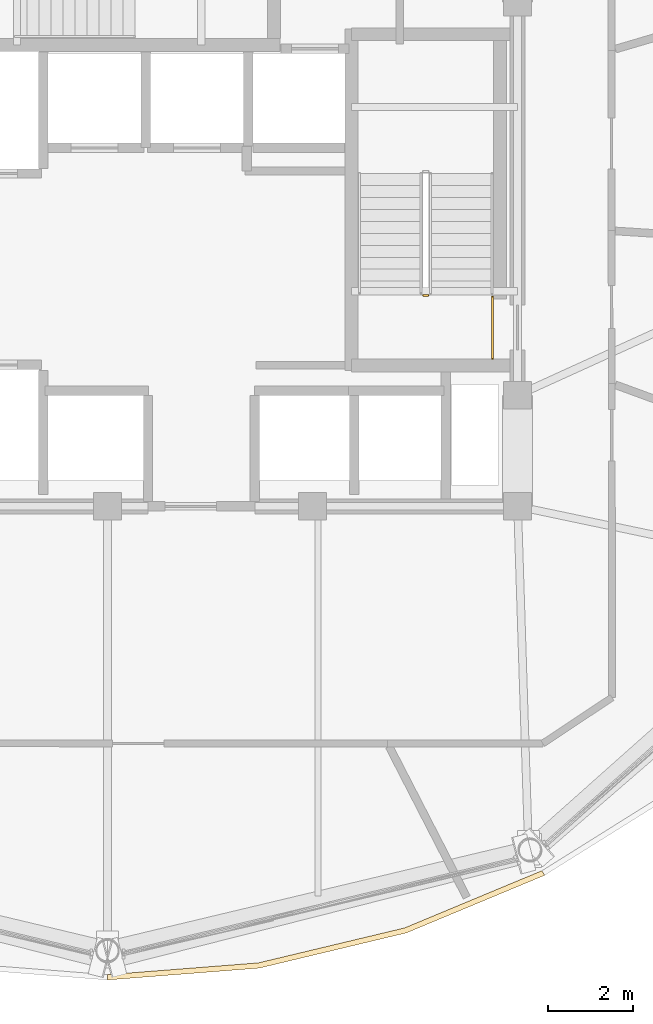
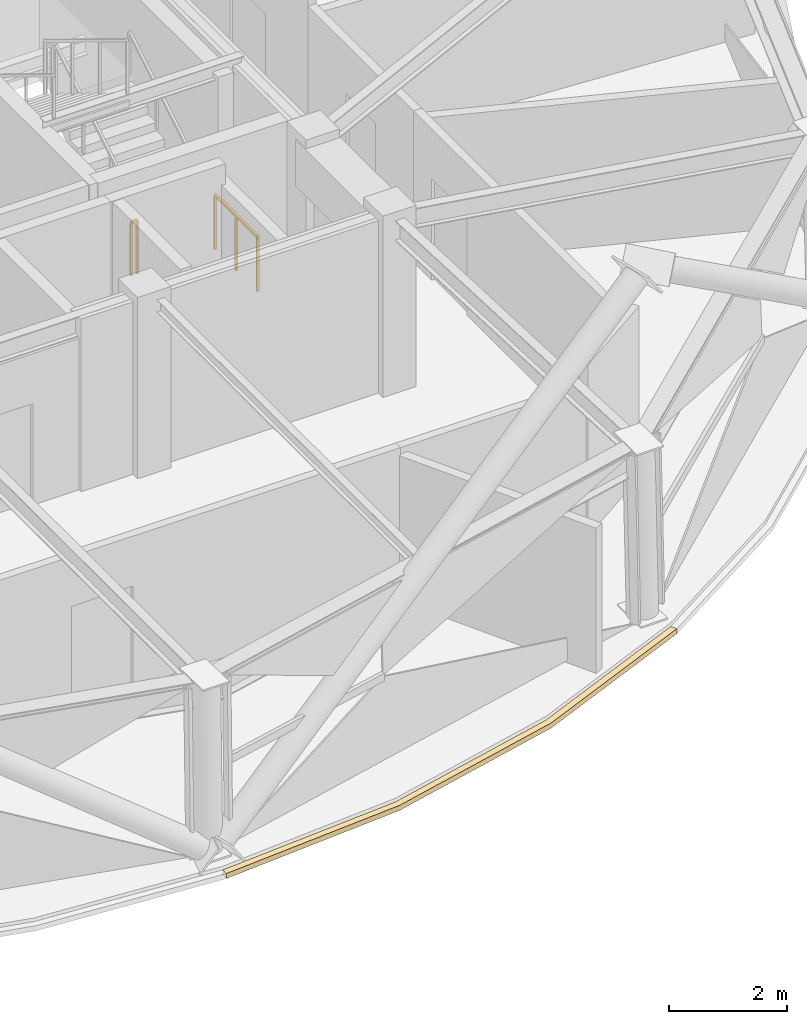
# One storey, part 13 of 16: 2 railings, 1 covering.
"""IFC4 building model written with IfcOpenShell, lengths in metres."""

import ifcopenshell
import ifcopenshell.guid

model = None  # the IFC model being written
_history = None  # IfcOwnerHistory: only IFC2X3 demands one
_inside = {}  # id of a spatial element -> (the spatial element, [elements in it])
_under = {}  # id of a project, library or spatial element -> (it, [spatial elements below it])
_declared = {}  # id of a project -> (the project, [libraries it declares])
_typed = {}  # id of a type object -> (the type object, [elements of that type])
_made_of = {}  # id of a material, layer set ... -> (it, [elements and type objects made of it])


def new_model(schema):
    """Start an empty IFC model of exactly this schema.

    Asked for "IFC4X3", IfcOpenShell would pick the latest addendum, in which some entities
    have other attributes; the version numbers below select the first issue.
    IFC2X3 requires an IfcOwnerHistory on every rooted entity: one is made here for all.
    """
    global model, _history
    if schema == "IFC4X3":
        model = ifcopenshell.file(schema_version=(4, 3, 0, 0))
    else:
        model = ifcopenshell.file(schema=schema)
    _inside.clear()
    _under.clear()
    _declared.clear()
    _typed.clear()
    _made_of.clear()
    _history = None
    if model.schema == "IFC2X3":
        org = make("IfcOrganization", Name="unknown")
        user = make(
            "IfcPersonAndOrganization",
            ThePerson=make("IfcPerson", FamilyName="unknown"),
            TheOrganization=org,
        )
        app = make(
            "IfcApplication",
            ApplicationDeveloper=org,
            Version="unknown",
            ApplicationFullName="unknown",
            ApplicationIdentifier="unknown",
        )
        _history = make(
            "IfcOwnerHistory",
            OwningUser=user,
            OwningApplication=app,
            ChangeAction="ADDED",
            CreationDate=0,
        )
    return model


def make(cls, **values):
    """One entity of the class cls with the attributes given. An attribute that is None is left unset."""
    return model.create_entity(
        cls, **{name: value for name, value in values.items() if value is not None}
    )


def rooted(cls, **values):
    """An entity with a GlobalId (a new one), such as an element, a storey or a relation."""
    return make(cls, GlobalId=ifcopenshell.guid.new(), OwnerHistory=_history, **values)


def si_unit(unit_type, name, prefix=None):
    """IfcSIUnit, for example si_unit("LENGTHUNIT", "METRE", prefix="MILLI")."""
    return make("IfcSIUnit", UnitType=unit_type, Prefix=prefix, Name=name)


def assignment(units):
    """IfcUnitAssignment: the units of a project."""
    return None if units is None else make("IfcUnitAssignment", Units=units)


def point(xyz):
    """IfcCartesianPoint."""
    return None if xyz is None else make("IfcCartesianPoint", Coordinates=xyz)


def direction(xyz):
    """IfcDirection."""
    return None if xyz is None else make("IfcDirection", DirectionRatios=xyz)


def frame(location, z_axis=None, x_axis=None):
    """IfcAxis2Placement3D, a coordinate frame: its origin and axes. An axis left out is left unset."""
    return make(
        "IfcAxis2Placement3D",
        Location=point(location),
        Axis=direction(z_axis),
        RefDirection=direction(x_axis),
    )


def frame_2d(location, x_axis=None):
    """IfcAxis2Placement2D, a coordinate frame in the plane: its origin and x axis."""
    return make(
        "IfcAxis2Placement2D", Location=point(location), RefDirection=direction(x_axis)
    )


def origin():
    """The frame at (0, 0, 0) with its axes left unset."""
    return frame((0.0, 0.0, 0.0))


def origin_2d():
    """The frame at (0, 0) in the plane with its x axis left unset."""
    return frame_2d((0.0, 0.0))


def place(relative_to, where):
    """IfcLocalPlacement: puts the frame where relative to a parent placement (None: the world)."""
    return make(
        "IfcLocalPlacement", PlacementRelTo=relative_to, RelativePlacement=where
    )


def context(
    kind, dimensions, precision=None, world=None, true_north=None, identifier=None
):
    """IfcGeometricRepresentationContext, for example the 3D "Model" context."""
    return make(
        "IfcGeometricRepresentationContext",
        ContextIdentifier=identifier,
        ContextType=kind,
        CoordinateSpaceDimension=dimensions,
        Precision=precision,
        WorldCoordinateSystem=world,
        TrueNorth=true_north,
    )


def subcontext(parent, identifier, kind, view, scale=None):
    """IfcGeometricRepresentationSubContext, for example "Body" below "Model"."""
    return make(
        "IfcGeometricRepresentationSubContext",
        ContextIdentifier=identifier,
        ContextType=kind,
        ParentContext=parent,
        TargetScale=scale,
        TargetView=view,
    )


def project(units=None, contexts=None):
    """IfcProject with its units and contexts."""
    return rooted(
        "IfcProject",
        Name="project",
        RepresentationContexts=contexts,
        UnitsInContext=assignment(units),
    )


def spatial(cls, under=None, at=None, **own):
    """A site, building, storey or space (cls), placed at a placement, below another one or the project."""
    s = rooted(cls, ObjectPlacement=at, **own)
    if under is not None:
        _under.setdefault(under.id(), (under, []))[1].append(s)
    return s


def polyline(points):
    """IfcPolyline through the points."""
    return make("IfcPolyline", Points=[point(p) for p in points])


def profile(cls, at=None, kind="AREA", **sizes):
    """A parametric profile (cls). Its sizes go by their IFC names, for example OverallWidth=200.0."""
    return make(cls, ProfileType=kind, Position=at, **sizes)


def rectangle(**sizes):
    """IfcRectangleProfileDef."""
    return profile("IfcRectangleProfileDef", **sizes)


def outline(outer, holes=None, kind="AREA"):
    """IfcArbitraryClosedProfileDef: a profile drawn as a closed curve; with holes, ...WithVoids."""
    if holes is None:
        return make("IfcArbitraryClosedProfileDef", ProfileType=kind, OuterCurve=outer)
    return make(
        "IfcArbitraryProfileDefWithVoids",
        ProfileType=kind,
        OuterCurve=outer,
        InnerCurves=holes,
    )


def extrude(swept, where, along, depth):
    """IfcExtrudedAreaSolid: the profile swept, set in the frame where, extruded along a direction by depth."""
    return make(
        "IfcExtrudedAreaSolid",
        SweptArea=swept,
        Position=where,
        ExtrudedDirection=direction(along),
        Depth=depth,
    )


def shape(context_of_items, identifier, shape_type, items):
    """IfcShapeRepresentation: the items that make up one representation, for example the "Body"."""
    return make(
        "IfcShapeRepresentation",
        ContextOfItems=context_of_items,
        RepresentationIdentifier=identifier,
        RepresentationType=shape_type,
        Items=items,
    )


def material(Name=None, Category=None):
    """IfcMaterial."""
    return make("IfcMaterial", Name=Name, Category=Category)


def layer(
    of_material, thickness, ventilated=None, Name=None, Category=None, Priority=None
):
    """IfcMaterialLayer: one layer of a wall or slab, of a material (None: an air gap)."""
    return make(
        "IfcMaterialLayer",
        Material=of_material,
        LayerThickness=thickness,
        IsVentilated=ventilated,
        Name=Name,
        Category=Category,
        Priority=Priority,
    )


def layer_set(layers, Name=None):
    """IfcMaterialLayerSet."""
    return make("IfcMaterialLayerSet", MaterialLayers=layers, LayerSetName=Name)


def made_of(thing, what):
    """Note that an element or type object is made of a material, layer set ...; save() writes the relation."""
    if what is not None:
        _made_of.setdefault(what.id(), (what, []))[1].append(thing)
    return thing


def type_object(cls, material=None, **own):
    """A type object (cls), such as IfcWallType, which elements share."""
    return made_of(rooted(cls, **own), material)


def element(
    cls,
    number,
    at=None,
    inside=None,
    cuts=None,
    type_object=None,
    material=None,
    context=None,
    identifier="Body",
    shape_type=None,
    held_by="IfcProductDefinitionShape",
    body=None,
    shapes=None,
    **own,
):
    """One element of the class cls, such as IfcWall. Its Tag is "e" and its number.

    at: its placement. inside: the storey or other place that contains it. cuts: it is an
    opening in that element (IfcRelVoidsElement). A single representation is given by context,
    identifier, shape_type and body (its items); several are given by shapes. held_by: the class
    of the entity that holds the representations. save() writes the other relations.
    """
    e = rooted(cls, Tag="e%d" % number, ObjectPlacement=at, **own)
    if body is not None:
        shapes = [shape(context, identifier, shape_type, body)]
    if shapes is not None:
        e.Representation = make(held_by, Representations=shapes)
    if inside is not None:
        _inside.setdefault(inside.id(), (inside, []))[1].append(e)
    if cuts is not None:
        rooted(
            "IfcRelVoidsElement", RelatingBuildingElement=cuts, RelatedOpeningElement=e
        )
    if type_object is not None:
        _typed.setdefault(type_object.id(), (type_object, []))[1].append(e)
    return made_of(e, material)


def aggregate(whole, parts):
    """IfcRelAggregates: a whole, such as a stair, and the parts it consists of."""
    return rooted("IfcRelAggregates", RelatingObject=whole, RelatedObjects=parts)


def save(model, path):
    """Write the relations noted so far, then the file.

    IfcRelAggregates (storeys below a building ...), IfcRelContainedInSpatialStructure (elements
    in a storey), IfcRelDefinesByType, IfcRelAssociatesMaterial and IfcRelDeclares: one each for
    every whole, place, type object, material and project.
    """
    for whole, parts in _under.values():
        aggregate(whole, parts)
    for where, things in _inside.values():
        rooted(
            "IfcRelContainedInSpatialStructure",
            RelatedElements=things,
            RelatingStructure=where,
        )
    for kind, things in _typed.values():
        rooted("IfcRelDefinesByType", RelatedObjects=things, RelatingType=kind)
    for what, things in _made_of.values():
        rooted("IfcRelAssociatesMaterial", RelatedObjects=things, RelatingMaterial=what)
    for by, libraries in _declared.values():
        rooted("IfcRelDeclares", RelatingContext=by, RelatedDefinitions=libraries)
    model.write(path)


model = new_model("IFC4")

# Units and contexts
model_context = context("Model", 3, precision=1e-05, world=origin(), true_north=direction((0.0, 1.0)))
body_context = subcontext(model_context, "Body", "Model", "MODEL_VIEW")
ifc_project = project(units=[si_unit("LENGTHUNIT", "METRE"), si_unit("AREAUNIT", "SQUARE_METRE"), si_unit("VOLUMEUNIT", "CUBIC_METRE"), si_unit("PLANEANGLEUNIT", "RADIAN"), si_unit("MASSUNIT", "GRAM", prefix="KILO")], contexts=[model_context])

# Site, building, storey
site_placement = place(None, origin())
site = spatial("IfcSite", under=ifc_project, at=site_placement, CompositionType="ELEMENT")
building_placement = place(site_placement, origin())
building = spatial("IfcBuilding", under=site, at=building_placement, Name="Vantalir Tower", CompositionType="ELEMENT")
storey_placement = place(building_placement, frame((0.0, 0.0, 267.60009765625)))
storey = spatial("IfcBuildingStorey", under=building, at=storey_placement, Name="L67", CompositionType="ELEMENT", Elevation=267.60009765625)

# Covering
ifc_material_1 = material(Name="Anodised champagne aluminium sill fascia", Category="aluminium")
ifc_layer = layer(ifc_material_1, 0.125)
ifc_layer_set = layer_set([ifc_layer], Name="Anodised champagne aluminium sill fascia")
covering_type = type_object("IfcCoveringType", Name="COV-SLAB-FASCIA-125", PredefinedType="CLADDING", material=ifc_layer_set)
covering_placement = place(storey_placement, frame((0.0, 0.0, -0.18017578125)))
element("IfcCovering", 1, at=covering_placement, inside=storey, type_object=covering_type, Name="L67 Perimeter Slab-Edge Sill Fascia 10", PredefinedType="CLADDING", context=body_context, shape_type="SweptSolid", body=[
    extrude(outline(polyline([(31.5, 6.714111328125), (35.053955078125, 6.991943359375), (38.4990234375, 7.81689453125), (41.73291015625, 9.1640625), (41.669921875, 9.27197265625), (38.45703125, 7.93408203125), (35.031982421875, 7.114990234375), (31.5, 6.839111328125), (31.5, 6.714111328125)])), origin(), (0.0, 0.0, 1.0), 0.10498046875),
])

# Railings
ifc_material_2 = material(Name="Anodised aluminium and stainless steel guard", Category="steel")
railing_type = type_object("IfcRailingType", Name="RAL-GUARD-1120", PredefinedType="GUARDRAIL", material=ifc_material_2)
railing_1_placement = place(storey_placement, frame((39.010009765625, 22.739990234375, 0.0)))
element("IfcRailing", 2, at=railing_1_placement, inside=storey, type_object=railing_type, Name="L67 ST2 stair guard 4", PredefinedType="GUARDRAIL", context=body_context, shape_type="SweptSolid", body=[
    extrude(rectangle(XDim=0.048095703125, YDim=0.048095703125, at=origin_2d()), frame((0.0, 0.0, 1.09619140625), z_axis=(-1.0, 0.0, 0.0), x_axis=(0.0, -1.0, 0.0)), (0.0, 0.0, 1.0), 0.1201171875),
    extrude(rectangle(XDim=0.0419921875, YDim=0.0419921875, at=origin_2d()), origin(), (0.0, 0.0, 1.0), 1.072021484375),
    extrude(rectangle(XDim=0.0419921875, YDim=0.0419921875, at=origin_2d()), frame((-0.1201171875, 0.0, 0.0)), (0.0, 0.0, 1.0), 1.072021484375),
])
railing_2_placement = place(storey_placement, frame((40.510009765625, 21.260009765625, 0.0)))
element("IfcRailing", 3, at=railing_2_placement, inside=storey, type_object=railing_type, Name="L67 Stair ST2 Doorway Landing Guard", PredefinedType="GUARDRAIL", context=body_context, shape_type="SweptSolid", body=[
    extrude(rectangle(XDim=0.048095703125, YDim=0.048095703125, at=origin_2d()), frame((0.0, 0.0, 1.1259765625), z_axis=(0.0, 1.0, 0.0), x_axis=(-1.0, 0.0, 0.0)), (0.0, 0.0, 1.0), 1.43994140625),
    extrude(rectangle(XDim=0.0419921875, YDim=0.0419921875, at=origin_2d()), origin(), (0.0, 0.0, 1.0), 1.101806640625),
    extrude(rectangle(XDim=0.0419921875, YDim=0.0419921875, at=origin_2d()), frame((0.0, 0.719970703125, 0.0)), (0.0, 0.0, 1.0), 1.101806640625),
    extrude(rectangle(XDim=0.0419921875, YDim=0.0419921875, at=origin_2d()), frame((0.0, 1.43994140625, 0.0)), (0.0, 0.0, 1.0), 1.101806640625),
])

save(model, "model.ifc")
